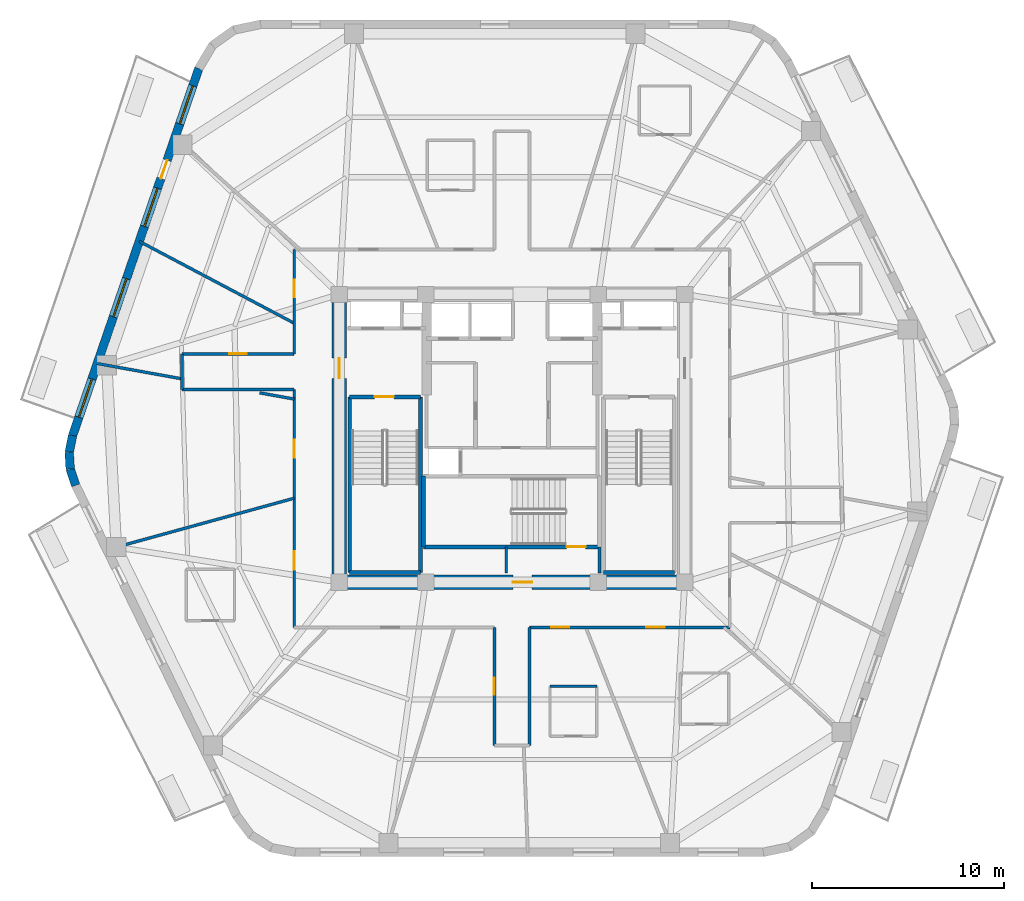
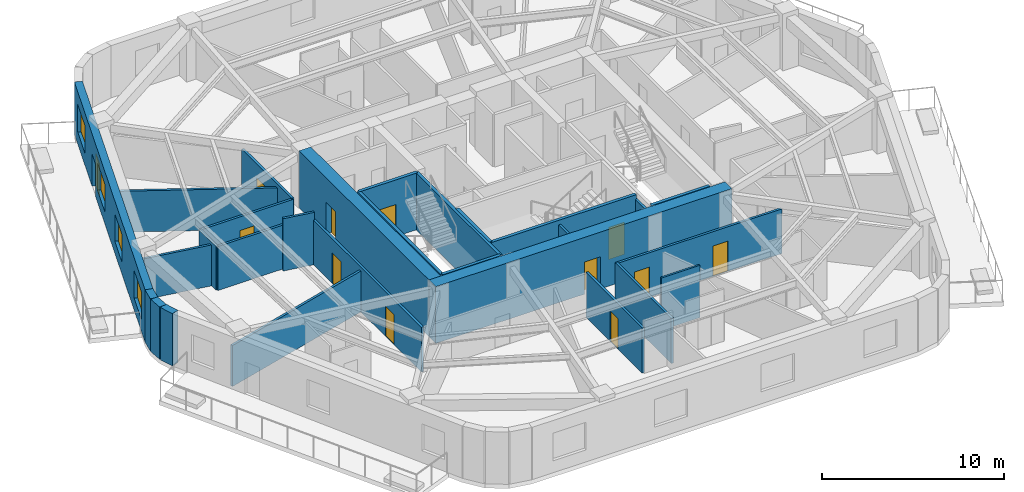
# One storey, part 3 of 9: 28 walls, 12 doors, 4 windows, 16 openings.
"""IFC4 building model written with IfcOpenShell, lengths in metres."""

from ifc_helpers import new_model, si_unit, direction, frame, frame_2d, origin, place, context, subcontext, project, spatial, rectangle, extrude, material, layer, layer_set, type_object, element, fill, save


model = new_model("IFC4")

# Units and contexts
model_context = context("Model", 3, precision=1e-05, world=origin(), true_north=direction((0.0, 1.0)))
body_context = subcontext(model_context, "Body", "Model", "MODEL_VIEW")
ifc_project = project(units=[si_unit("LENGTHUNIT", "METRE"), si_unit("AREAUNIT", "SQUARE_METRE"), si_unit("VOLUMEUNIT", "CUBIC_METRE"), si_unit("PLANEANGLEUNIT", "RADIAN"), si_unit("MASSUNIT", "GRAM", prefix="KILO")], contexts=[model_context])

# Site, building, storey
site_placement = place(None, origin())
site = spatial("IfcSite", under=ifc_project, at=site_placement, CompositionType="ELEMENT")
building_placement = place(site_placement, origin())
building = spatial("IfcBuilding", under=site, at=building_placement, Name="Kilnhurst Terrace Hotel", CompositionType="ELEMENT")
storey_placement = place(building_placement, frame((0.0, 0.0, 236.89990234375)))
storey = spatial("IfcBuildingStorey", under=building, at=storey_placement, Name="L59", CompositionType="ELEMENT", Elevation=236.89990234375)

# Walls
ifc_material_1 = material(Name="Precast concrete C40/50", Category="concrete")
ifc_layer_1 = layer(ifc_material_1, 0.449951171875, Name="Precast concrete C40/50")
ifc_layer_set_1 = layer_set([ifc_layer_1], Name="Precast concrete C40/50")
wall_type_1 = type_object("IfcWallType", Name="WL-BRK-450", PredefinedType="SOLIDWALL", material=ifc_layer_set_1)
wall_1_placement = place(storey_placement, frame((-22.8984375, 0.149658203125, 0.0), z_axis=(0.0, 0.0, 1.0), x_axis=(-0.199055826889, -0.979988151858, 0.0)))
element("IfcWall", 1, at=wall_1_placement, inside=storey, type_object=wall_type_1, Name="L59 Rounded Corner Brick Wall C6.1", PredefinedType="SOLIDWALL", context=body_context, shape_type="SweptSolid", body=[
    extrude(rectangle(XDim=0.89404296875, YDim=0.449951171875, at=frame_2d((0.447021484375, 0.0))), origin(), (0.0, 0.0, 1.0), 3.5),
])
wall_2_placement = place(storey_placement, frame((-23.076416015625, -0.7265625, 0.0), z_axis=(0.0, 0.0, 1.0), x_axis=(0.060805222108, -0.998149650586, 0.0)))
element("IfcWall", 2, at=wall_2_placement, inside=storey, type_object=wall_type_1, Name="L59 Rounded Corner Brick Wall C6.2", PredefinedType="SOLIDWALL", context=body_context, shape_type="SweptSolid", body=[
    extrude(rectangle(XDim=0.87939453125, YDim=0.449951171875, at=frame_2d((0.439697265625, 0.0))), origin(), (0.0, 0.0, 1.0), 3.5),
])
wall_3_placement = place(storey_placement, frame((-23.02294921875, -1.604248046875, 0.0), z_axis=(0.0, 0.0, 1.0), x_axis=(0.316801227695, -0.948491951537, 0.0)))
element("IfcWall", 3, at=wall_3_placement, inside=storey, type_object=wall_type_1, Name="L59 Rounded Corner Brick Wall C6.3", PredefinedType="SOLIDWALL", context=body_context, shape_type="SweptSolid", body=[
    extrude(rectangle(XDim=0.89404296875, YDim=0.449951171875, at=frame_2d((0.447021484375, 0.0))), origin(), (0.0, 0.0, 1.0), 3.5),
])

# Wall, openings, door, windows
wall_4_placement = place(storey_placement, frame((-16.323974609375, 19.275146484375, 0.0), z_axis=(0.0, 0.0, 1.0), x_axis=(-0.325083142304, -0.945685439557, 0.0)))
wall_4 = element("IfcWall", 4, at=wall_4_placement, inside=storey, type_object=wall_type_1, Name="L59 Exterior Brick Facade Wall F5", PredefinedType="SOLIDWALL", context=body_context, shape_type="SweptSolid", body=[
    extrude(rectangle(XDim=20.223876953125, YDim=0.449951171875, at=frame_2d((10.11181640625, 0.0))), origin(), (0.0, 0.0, 1.0), 3.5),
])
opening_1_placement = place(wall_4_placement, frame((5.06201171875, 0.0, 0.0)))
opening_1 = element("IfcOpeningElement", 5, at=opening_1_placement, cuts=wall_4, Name="Opening BD-1000", PredefinedType="OPENING", context=body_context, shape_type="SweptSolid", body=[
    extrude(rectangle(XDim=1.0, YDim=2.14990234375, at=frame_2d((0.5, 1.074951171875))), frame((0.0, 0.23486328125, 0.0), z_axis=(0.0, -1.0, 0.0), x_axis=(1.0, 0.0, 0.0)), (0.0, 0.0, 1.0), 0.469970703125),
])
opening_2_placement = place(wall_4_placement, frame((0.952880859375, 0.0, 0.800048828125)))
opening_2 = element("IfcOpeningElement", 6, at=opening_2_placement, cuts=wall_4, Name="Opening W-04", PredefinedType="OPENING", context=body_context, shape_type="SweptSolid", body=[
    extrude(rectangle(XDim=2.10009765625, YDim=1.85009765625, at=frame_2d((1.050048828125, 0.925048828125))), frame((0.0, 0.23486328125, 0.0), z_axis=(0.0, -1.0, 0.0), x_axis=(1.0, 0.0, 0.0)), (0.0, 0.0, 1.0), 0.469970703125),
])
opening_3_placement = place(wall_4_placement, frame((6.60400390625, 0.0, 0.800048828125)))
opening_3 = element("IfcOpeningElement", 7, at=opening_3_placement, cuts=wall_4, Name="Opening W-04", PredefinedType="OPENING", context=body_context, shape_type="SweptSolid", body=[
    extrude(rectangle(XDim=2.10009765625, YDim=1.85009765625, at=frame_2d((1.050048828125, 0.925048828125))), frame((0.0, 0.23486328125, 0.0), z_axis=(0.0, -1.0, 0.0), x_axis=(1.0, 0.0, 0.0)), (0.0, 0.0, 1.0), 0.469970703125),
])
opening_4_placement = place(wall_4_placement, frame((11.5849609375, 0.0, 0.800048828125)))
opening_4 = element("IfcOpeningElement", 8, at=opening_4_placement, cuts=wall_4, Name="Opening W-04", PredefinedType="OPENING", context=body_context, shape_type="SweptSolid", body=[
    extrude(rectangle(XDim=2.10009765625, YDim=1.85009765625, at=frame_2d((1.050048828125, 0.925048828125))), frame((0.0, 0.23486328125, 0.0), z_axis=(0.0, -1.0, 0.0), x_axis=(1.0, 0.0, 0.0)), (0.0, 0.0, 1.0), 0.469970703125),
])
opening_5_placement = place(wall_4_placement, frame((17.117919921875, 0.0, 0.800048828125)))
opening_5 = element("IfcOpeningElement", 9, at=opening_5_placement, cuts=wall_4, Name="Opening W-04", PredefinedType="OPENING", context=body_context, shape_type="SweptSolid", body=[
    extrude(rectangle(XDim=2.10009765625, YDim=1.85009765625, at=frame_2d((1.050048828125, 0.925048828125))), frame((0.0, 0.23486328125, 0.0), z_axis=(0.0, -1.0, 0.0), x_axis=(1.0, 0.0, 0.0)), (0.0, 0.0, 1.0), 0.469970703125),
])
ifc_material_2 = material(Name="Thermally Broken Bronze Aluminium Alloy 6063-T6 and Laminated Glass", Category="aluminium")
door_type_1 = type_object("IfcDoorType", Name="DR-EXT-BAL-1000", OperationType="NOTDEFINED", PredefinedType="DOOR", material=ifc_material_2)
door_1_placement = place(opening_1_placement, origin())
door_1 = element("IfcDoor", 10, at=door_1_placement, inside=storey, type_object=door_type_1, Name="L59 Planted Balcony Door BAL-L2A", OperationType="SINGLE_SWING_LEFT", OverallHeight=2.14990234375, OverallWidth=1.0, PredefinedType="DOOR", context=body_context, shape_type="SweptSolid", body=[
    extrude(rectangle(XDim=1.0, YDim=2.14990234375, at=frame_2d((0.5, 1.074951171875))), frame((0.0, 0.02490234375, 0.0), z_axis=(0.0, -1.0, 0.0), x_axis=(1.0, 0.0, 0.0)), (0.0, 0.0, 1.0), 0.050048828125),
])
fill(opening_1, door_1)
ifc_material_3 = material(Name="Thermally Broken Bronze Aluminium Alloy 6063-T6 and Low-E Glass", Category="aluminium")
window_type = type_object("IfcWindowType", Name="WIN-2100X1850", PartitioningType="SINGLE_PANEL", PredefinedType="WINDOW", material=ifc_material_3)
window_1_placement = place(opening_2_placement, origin())
window_1 = element("IfcWindow", 11, at=window_1_placement, inside=storey, type_object=window_type, Name="L59 Deep-Set Masonry Window F5.1", OverallHeight=1.85009765625, OverallWidth=2.10009765625, PartitioningType="SINGLE_PANEL", PredefinedType="WINDOW", context=body_context, shape_type="SweptSolid", body=[
    extrude(rectangle(XDim=2.10009765625, YDim=1.85009765625, at=frame_2d((1.050048828125, 0.925048828125))), frame((0.0, 0.030029296875, 0.0), z_axis=(0.0, -1.0, 0.0), x_axis=(1.0, 0.0, 0.0)), (0.0, 0.0, 1.0), 0.06005859375),
])
fill(opening_2, window_1)
window_2_placement = place(opening_3_placement, origin())
window_2 = element("IfcWindow", 12, at=window_2_placement, inside=storey, type_object=window_type, Name="L59 Deep-Set Masonry Window F5.2", OverallHeight=1.85009765625, OverallWidth=2.10009765625, PartitioningType="SINGLE_PANEL", PredefinedType="WINDOW", context=body_context, shape_type="SweptSolid", body=[
    extrude(rectangle(XDim=2.10009765625, YDim=1.85009765625, at=frame_2d((1.050048828125, 0.925048828125))), frame((0.0, 0.030029296875, 0.0), z_axis=(0.0, -1.0, 0.0), x_axis=(1.0, 0.0, 0.0)), (0.0, 0.0, 1.0), 0.06005859375),
])
fill(opening_3, window_2)
window_3_placement = place(opening_4_placement, origin())
window_3 = element("IfcWindow", 13, at=window_3_placement, inside=storey, type_object=window_type, Name="L59 Deep-Set Masonry Window F5.3", OverallHeight=1.85009765625, OverallWidth=2.10009765625, PartitioningType="SINGLE_PANEL", PredefinedType="WINDOW", context=body_context, shape_type="SweptSolid", body=[
    extrude(rectangle(XDim=2.10009765625, YDim=1.85009765625, at=frame_2d((1.050048828125, 0.925048828125))), frame((0.0, 0.030029296875, 0.0), z_axis=(0.0, -1.0, 0.0), x_axis=(1.0, 0.0, 0.0)), (0.0, 0.0, 1.0), 0.06005859375),
])
fill(opening_4, window_3)
window_4_placement = place(opening_5_placement, origin())
window_4 = element("IfcWindow", 14, at=window_4_placement, inside=storey, type_object=window_type, Name="L59 Deep-Set Masonry Window F5.4", OverallHeight=1.85009765625, OverallWidth=2.10009765625, PartitioningType="SINGLE_PANEL", PredefinedType="WINDOW", context=body_context, shape_type="SweptSolid", body=[
    extrude(rectangle(XDim=2.10009765625, YDim=1.85009765625, at=frame_2d((1.050048828125, 0.925048828125))), frame((0.0, 0.030029296875, 0.0), z_axis=(0.0, -1.0, 0.0), x_axis=(1.0, 0.0, 0.0)), (0.0, 0.0, 1.0), 0.06005859375),
])
fill(opening_5, window_4)

# Wall, openings, doors
ifc_material_4 = material(Name="Acoustic Double-Gypsum Corridor Partition Assembly")
ifc_layer_2 = layer(ifc_material_4, 0.14990234375, Name="Acoustic Double-Gypsum Corridor Partition Assembly")
ifc_layer_set_2 = layer_set([ifc_layer_2], Name="Acoustic Double-Gypsum Corridor Partition Assembly")
wall_type_2 = type_object("IfcWallType", Name="WL-COR-150", PredefinedType="PARTITIONING", material=ifc_layer_set_2)
wall_5_placement = place(storey_placement, frame((-11.35009765625, -9.85009765625, 0.0), z_axis=(0.0, 0.0, 1.0), x_axis=(0.0, 1.0, 0.0)))
wall_5 = element("IfcWall", 15, at=wall_5_placement, inside=storey, type_object=wall_type_2, Name="L59 Interior Wall WL-L59-COR-01", PredefinedType="PARTITIONING", context=body_context, shape_type="SweptSolid", body=[
    extrude(rectangle(XDim=12.400146484375, YDim=0.14990234375, at=frame_2d((6.2001953125, 0.0))), origin(), (0.0, 0.0, 1.0), 2.989990234375),
])
opening_6_placement = place(wall_5_placement, frame((8.8349609375, 0.0, 0.0)))
opening_6 = element("IfcOpeningElement", 16, at=opening_6_placement, cuts=wall_5, Name="Opening D-60B", PredefinedType="OPENING", context=body_context, shape_type="SweptSolid", body=[
    extrude(rectangle(XDim=0.949951171875, YDim=2.030029296875, at=frame_2d((0.47509765625, 1.01513671875))), frame((0.0, 0.0849609375, 0.0), z_axis=(0.0, -1.0, 0.0), x_axis=(1.0, 0.0, 0.0)), (0.0, 0.0, 1.0), 0.169921875),
])
opening_7_placement = place(wall_5_placement, frame((3.010009765625, 0.0, 0.0)))
opening_7 = element("IfcOpeningElement", 17, at=opening_7_placement, cuts=wall_5, Name="Opening D-60B", PredefinedType="OPENING", context=body_context, shape_type="SweptSolid", body=[
    extrude(rectangle(XDim=0.949951171875, YDim=2.030029296875, at=frame_2d((0.47509765625, 1.01513671875))), frame((0.0, 0.0849609375, 0.0), z_axis=(0.0, -1.0, 0.0), x_axis=(1.0, 0.0, 0.0)), (0.0, 0.0, 1.0), 0.169921875),
])
ifc_material_5 = material(Name="Acoustic Walnut Veneer Solid-Core Fire Door")
door_type_2 = type_object("IfcDoorType", Name="DR-FD60-950", OperationType="NOTDEFINED", PredefinedType="DOOR", material=ifc_material_5)
door_2_placement = place(opening_6_placement, origin())
door_2 = element("IfcDoor", 18, at=door_2_placement, inside=storey, type_object=door_type_2, Name="L59 Private Dining Room Door", OperationType="SINGLE_SWING_LEFT", OverallHeight=2.030029296875, OverallWidth=0.949951171875, PredefinedType="DOOR", context=body_context, shape_type="SweptSolid", body=[
    extrude(rectangle(XDim=0.949951171875, YDim=2.030029296875, at=frame_2d((0.47509765625, 1.01513671875))), frame((0.0, 0.02490234375, 0.0), z_axis=(0.0, -1.0, 0.0), x_axis=(1.0, 0.0, 0.0)), (0.0, 0.0, 1.0), 0.050048828125),
])
fill(opening_6, door_2)
door_3_placement = place(opening_7_placement, origin())
door_3 = element("IfcDoor", 19, at=door_3_placement, inside=storey, type_object=door_type_2, Name="L59 Executive Suite Entry Door 10", OperationType="SINGLE_SWING_RIGHT", OverallHeight=2.030029296875, OverallWidth=0.949951171875, PredefinedType="DOOR", context=body_context, shape_type="SweptSolid", body=[
    extrude(rectangle(XDim=0.949951171875, YDim=2.030029296875, at=frame_2d((0.47509765625, 1.01513671875))), frame((0.0, 0.02490234375, 0.0), z_axis=(0.0, -1.0, 0.0), x_axis=(1.0, 0.0, 0.0)), (0.0, 0.0, 1.0), 0.050048828125),
])
fill(opening_7, door_3)

# Walls
wall_6_placement = place(storey_placement, frame((-11.35009765625, 2.550048828125, 0.0), z_axis=(0.0, 0.0, 1.0), x_axis=(-1.0, 0.0, 0.0)))
element("IfcWall", 20, at=wall_6_placement, inside=storey, type_object=wall_type_2, Name="L59 Interior Wall WL-L59-COR-02", PredefinedType="PARTITIONING", context=body_context, shape_type="SweptSolid", body=[
    extrude(rectangle(XDim=5.849853515625, YDim=0.14990234375, at=frame_2d((2.9248046875, 0.0))), origin(), (0.0, 0.0, 1.0), 2.940673828125),
])
wall_7_placement = place(storey_placement, frame((-17.199951171875, 2.550048828125, 0.0), z_axis=(0.0, 0.0, 1.0), x_axis=(0.0, 1.0, 0.0)))
element("IfcWall", 21, at=wall_7_placement, inside=storey, type_object=wall_type_2, Name="L59 Interior Wall WL-L59-COR-03", PredefinedType="PARTITIONING", context=body_context, shape_type="SweptSolid", body=[
    extrude(rectangle(XDim=1.849853515625, YDim=0.14990234375, at=frame_2d((0.9248046875, 0.0))), origin(), (0.0, 0.0, 1.0), 2.940673828125),
])

# Wall, opening, door
wall_8_placement = place(storey_placement, frame((-17.199951171875, 4.39990234375, 0.0), z_axis=(0.0, 0.0, 1.0), x_axis=(1.0, 0.0, 0.0)))
wall_8 = element("IfcWall", 22, at=wall_8_placement, inside=storey, type_object=wall_type_2, Name="L59 Interior Wall WL-L59-COR-04", PredefinedType="PARTITIONING", context=body_context, shape_type="SweptSolid", body=[
    extrude(rectangle(XDim=5.849853515625, YDim=0.14990234375, at=frame_2d((2.9248046875, 0.0))), origin(), (0.0, 0.0, 1.0), 2.940673828125),
])
opening_8_placement = place(wall_8_placement, frame((2.47509765625, 0.0, 0.0)))
opening_8 = element("IfcOpeningElement", 23, at=opening_8_placement, cuts=wall_8, Name="Opening D-60C", PredefinedType="OPENING", context=body_context, shape_type="SweptSolid", body=[
    extrude(rectangle(XDim=0.89990234375, YDim=2.030029296875, at=frame_2d((0.449951171875, 1.01513671875))), frame((0.0, 0.0849609375, 0.0), z_axis=(0.0, -1.0, 0.0), x_axis=(1.0, 0.0, 0.0)), (0.0, 0.0, 1.0), 0.169921875),
])
ifc_material_6 = material(Name="Painted Solid-Core Service Fire Door")
door_type_3 = type_object("IfcDoorType", Name="DR-FD60-900", OperationType="NOTDEFINED", PredefinedType="DOOR", material=ifc_material_6)
door_4_placement = place(opening_8_placement, origin())
door_4 = element("IfcDoor", 24, at=door_4_placement, inside=storey, type_object=door_type_3, Name="L59 Private Meeting Salon Door 8", OperationType="SINGLE_SWING_RIGHT", OverallHeight=2.030029296875, OverallWidth=0.89990234375, PredefinedType="DOOR", context=body_context, shape_type="SweptSolid", body=[
    extrude(rectangle(XDim=0.89990234375, YDim=2.030029296875, at=frame_2d((0.449951171875, 1.01513671875))), frame((0.0, 0.02490234375, 0.0), z_axis=(0.0, -1.0, 0.0), x_axis=(1.0, 0.0, 0.0)), (0.0, 0.0, 1.0), 0.050048828125),
])
fill(opening_8, door_4)

wall_9_placement = place(storey_placement, frame((-11.35009765625, 4.39990234375, 0.0), z_axis=(0.0, 0.0, 1.0), x_axis=(0.0, 1.0, 0.0)))
wall_9 = element("IfcWall", 25, at=wall_9_placement, inside=storey, type_object=wall_type_2, Name="L59 Interior Wall WL-L59-COR-05", PredefinedType="PARTITIONING", context=body_context, shape_type="SweptSolid", body=[
    extrude(rectangle(XDim=5.4501953125, YDim=0.14990234375, at=frame_2d((2.72509765625, 0.0))), origin(), (0.0, 0.0, 1.0), 2.989990234375),
])
opening_9_placement = place(wall_9_placement, frame((2.955078125, 0.0, 0.0)))
opening_9 = element("IfcOpeningElement", 26, at=opening_9_placement, cuts=wall_9, Name="Opening D-60C", PredefinedType="OPENING", context=body_context, shape_type="SweptSolid", body=[
    extrude(rectangle(XDim=0.89990234375, YDim=2.030029296875, at=frame_2d((0.449951171875, 1.01513671875))), frame((0.0, 0.0849609375, 0.0), z_axis=(0.0, -1.0, 0.0), x_axis=(1.0, 0.0, 0.0)), (0.0, 0.0, 1.0), 0.169921875),
])
door_5_placement = place(opening_9_placement, origin())
door_5 = element("IfcDoor", 27, at=door_5_placement, inside=storey, type_object=door_type_3, Name="L59 Botanical Reading Lounge Door 7", OperationType="SINGLE_SWING_LEFT", OverallHeight=2.030029296875, OverallWidth=0.89990234375, PredefinedType="DOOR", context=body_context, shape_type="SweptSolid", body=[
    extrude(rectangle(XDim=0.89990234375, YDim=2.030029296875, at=frame_2d((0.449951171875, 1.01513671875))), frame((0.0, 0.02490234375, 0.0), z_axis=(0.0, -1.0, 0.0), x_axis=(1.0, 0.0, 0.0)), (0.0, 0.0, 1.0), 0.050048828125),
])
fill(opening_9, door_5)

# Wall, openings, doors
wall_10_placement = place(storey_placement, frame((11.35009765625, -9.85009765625, 0.0), z_axis=(0.0, 0.0, 1.0), x_axis=(-1.0, 0.0, 0.0)))
wall_10 = element("IfcWall", 28, at=wall_10_placement, inside=storey, type_object=wall_type_2, Name="L59 Interior Wall WL-L59-COR-16", PredefinedType="PARTITIONING", context=body_context, shape_type="SweptSolid", body=[
    extrude(rectangle(XDim=10.43017578125, YDim=0.14990234375, at=frame_2d((5.215087890625, 0.0))), origin(), (0.0, 0.0, 1.0), 2.989990234375),
])
opening_10_placement = place(wall_10_placement, frame((8.362060546875, 0.0, 0.0)))
opening_10 = element("IfcOpeningElement", 29, at=opening_10_placement, cuts=wall_10, Name="Opening D-60B", PredefinedType="OPENING", context=body_context, shape_type="SweptSolid", body=[
    extrude(rectangle(XDim=0.949951171875, YDim=2.030029296875, at=frame_2d((0.47509765625, 1.01513671875))), frame((0.0, 0.0849609375, 0.0), z_axis=(0.0, -1.0, 0.0), x_axis=(1.0, 0.0, 0.0)), (0.0, 0.0, 1.0), 0.169921875),
])
opening_11_placement = place(wall_10_placement, frame((3.39599609375, 0.0, 0.0)))
opening_11 = element("IfcOpeningElement", 30, at=opening_11_placement, cuts=wall_10, Name="Opening D-60B", PredefinedType="OPENING", context=body_context, shape_type="SweptSolid", body=[
    extrude(rectangle(XDim=0.949951171875, YDim=2.030029296875, at=frame_2d((0.47509765625, 1.01513671875))), frame((0.0, 0.0849609375, 0.0), z_axis=(0.0, -1.0, 0.0), x_axis=(1.0, 0.0, 0.0)), (0.0, 0.0, 1.0), 0.169921875),
])
door_6_placement = place(opening_10_placement, origin())
door_6 = element("IfcDoor", 31, at=door_6_placement, inside=storey, type_object=door_type_2, Name="L59 Guest Room Entry Door 13", OperationType="SINGLE_SWING_LEFT", OverallHeight=2.030029296875, OverallWidth=0.949951171875, PredefinedType="DOOR", context=body_context, shape_type="SweptSolid", body=[
    extrude(rectangle(XDim=0.949951171875, YDim=2.030029296875, at=frame_2d((0.47509765625, 1.01513671875))), frame((0.0, 0.02490234375, 0.0), z_axis=(0.0, -1.0, 0.0), x_axis=(1.0, 0.0, 0.0)), (0.0, 0.0, 1.0), 0.050048828125),
])
fill(opening_10, door_6)
door_7_placement = place(opening_11_placement, origin())
door_7 = element("IfcDoor", 32, at=door_7_placement, inside=storey, type_object=door_type_2, Name="L59 Executive Suite Entry Door 14", OperationType="SINGLE_SWING_RIGHT", OverallHeight=2.030029296875, OverallWidth=0.949951171875, PredefinedType="DOOR", context=body_context, shape_type="SweptSolid", body=[
    extrude(rectangle(XDim=0.949951171875, YDim=2.030029296875, at=frame_2d((0.47509765625, 1.01513671875))), frame((0.0, 0.02490234375, 0.0), z_axis=(0.0, -1.0, 0.0), x_axis=(1.0, 0.0, 0.0)), (0.0, 0.0, 1.0), 0.050048828125),
])
fill(opening_11, door_7)

# Wall
wall_11_placement = place(storey_placement, frame((0.919921875, -9.85009765625, 0.0), z_axis=(0.0, 0.0, 1.0), x_axis=(0.0, -1.0, 0.0)))
element("IfcWall", 33, at=wall_11_placement, inside=storey, type_object=wall_type_2, Name="L59 Interior Wall WL-L59-COR-17", PredefinedType="PARTITIONING", context=body_context, shape_type="SweptSolid", body=[
    extrude(rectangle(XDim=6.14990234375, YDim=0.14990234375, at=frame_2d((3.074951171875, 0.0))), origin(), (0.0, 0.0, 1.0), 3.026611328125),
])

# Wall, opening, door
wall_12_placement = place(storey_placement, frame((-0.919921875, -16.0, 0.0), z_axis=(0.0, 0.0, 1.0), x_axis=(0.0, 1.0, 0.0)))
wall_12 = element("IfcWall", 34, at=wall_12_placement, inside=storey, type_object=wall_type_2, Name="L59 Interior Wall WL-L59-COR-19", PredefinedType="PARTITIONING", context=body_context, shape_type="SweptSolid", body=[
    extrude(rectangle(XDim=6.14990234375, YDim=0.14990234375, at=frame_2d((3.074951171875, 0.0))), origin(), (0.0, 0.0, 1.0), 3.026611328125),
])
opening_12_placement = place(wall_12_placement, frame((2.625, 0.0, 0.0)))
opening_12 = element("IfcOpeningElement", 35, at=opening_12_placement, cuts=wall_12, Name="Opening D-60C", PredefinedType="OPENING", context=body_context, shape_type="SweptSolid", body=[
    extrude(rectangle(XDim=0.89990234375, YDim=2.030029296875, at=frame_2d((0.449951171875, 1.01513671875))), frame((0.0, 0.0849609375, 0.0), z_axis=(0.0, -1.0, 0.0), x_axis=(1.0, 0.0, 0.0)), (0.0, 0.0, 1.0), 0.169921875),
])
door_8_placement = place(opening_12_placement, origin())
door_8 = element("IfcDoor", 36, at=door_8_placement, inside=storey, type_object=door_type_3, Name="L59 Wellness Consultation Room Door 12", OperationType="SINGLE_SWING_RIGHT", OverallHeight=2.030029296875, OverallWidth=0.89990234375, PredefinedType="DOOR", context=body_context, shape_type="SweptSolid", body=[
    extrude(rectangle(XDim=0.89990234375, YDim=2.030029296875, at=frame_2d((0.449951171875, 1.01513671875))), frame((0.0, 0.02490234375, 0.0), z_axis=(0.0, -1.0, 0.0), x_axis=(1.0, 0.0, 0.0)), (0.0, 0.0, 1.0), 0.050048828125),
])
fill(opening_12, door_8)

ifc_material_7 = material(Name="Concrete C60/75", Category="concrete")
ifc_layer_3 = layer(ifc_material_7, 0.75, Name="Concrete C60/75")
ifc_layer_set_3 = layer_set([ifc_layer_3], Name="Concrete C60/75")
wall_type_3 = type_object("IfcWallType", Name="WL-CORE-750", PredefinedType="SHEAR", material=ifc_layer_set_3)
wall_13_placement = place(storey_placement, frame((-9.375, -7.5, 0.0), z_axis=(0.0, 0.0, 1.0), x_axis=(1.0, 0.0, 0.0)))
wall_13 = element("IfcWall", 37, at=wall_13_placement, inside=storey, type_object=wall_type_3, Name="L59 Core South Shear Wall", PredefinedType="SHEAR", context=body_context, shape_type="SweptSolid", body=[
    extrude(rectangle(XDim=18.75, YDim=0.75, at=frame_2d((9.375, 0.0))), origin(), (0.0, 0.0, 1.0), 3.800048828125),
])
opening_13_placement = place(wall_13_placement, frame((9.425048828125, 0.0, 0.0)))
opening_13 = element("IfcOpeningElement", 38, at=opening_13_placement, cuts=wall_13, Name="Opening D-90B", PredefinedType="OPENING", context=body_context, shape_type="SweptSolid", body=[
    extrude(rectangle(XDim=1.0, YDim=2.14990234375, at=frame_2d((0.5, 1.074951171875))), frame((0.0, 0.385009765625, 0.0), z_axis=(0.0, -1.0, 0.0), x_axis=(1.0, 0.0, 0.0)), (0.0, 0.0, 1.0), 0.77001953125),
])
ifc_material_8 = material(Name="Painted Hollow Metal Steel ASTM A36 Fire Door", Category="steel")
door_type_4 = type_object("IfcDoorType", Name="DR-FD90-1000", OperationType="NOTDEFINED", PredefinedType="DOOR", material=ifc_material_8)
door_9_placement = place(opening_13_placement, origin())
door_9 = element("IfcDoor", 39, at=door_9_placement, inside=storey, type_object=door_type_4, Name="L59 Stair ST-3 Corridor Door", OperationType="SINGLE_SWING_RIGHT", OverallHeight=2.14990234375, OverallWidth=1.0, PredefinedType="DOOR", context=body_context, shape_type="SweptSolid", body=[
    extrude(rectangle(XDim=1.0, YDim=2.14990234375, at=frame_2d((0.5, 1.074951171875))), frame((0.0, 0.02490234375, 0.0), z_axis=(0.0, -1.0, 0.0), x_axis=(1.0, 0.0, 0.0)), (0.0, 0.0, 1.0), 0.050048828125),
])
fill(opening_13, door_9)

wall_14_placement = place(storey_placement, frame((-9.0, -7.125, 0.0), z_axis=(0.0, 0.0, 1.0), x_axis=(0.0, 1.0, 0.0)))
wall_14 = element("IfcWall", 40, at=wall_14_placement, inside=storey, type_object=wall_type_3, Name="L59 Core West Shear Wall", PredefinedType="SHEAR", context=body_context, shape_type="SweptSolid", body=[
    extrude(rectangle(XDim=14.25, YDim=0.75, at=frame_2d((7.125, 0.0))), origin(), (0.0, 0.0, 1.0), 3.800048828125),
])
opening_14_placement = place(wall_14_placement, frame((10.25, 0.0, 0.0)))
opening_14 = element("IfcOpeningElement", 41, at=opening_14_placement, cuts=wall_14, Name="Opening D-90A", PredefinedType="OPENING", context=body_context, shape_type="SweptSolid", body=[
    extrude(rectangle(XDim=1.050048828125, YDim=2.14990234375, at=frame_2d((0.52490234375, 1.074951171875))), frame((0.0, 0.385009765625, 0.0), z_axis=(0.0, -1.0, 0.0), x_axis=(1.0, 0.0, 0.0)), (0.0, 0.0, 1.0), 0.77001953125),
])
door_type_5 = type_object("IfcDoorType", Name="DR-FD90-1050", OperationType="NOTDEFINED", PredefinedType="DOOR", material=ifc_material_8)
door_10_placement = place(opening_14_placement, origin())
door_10 = element("IfcDoor", 42, at=door_10_placement, inside=storey, type_object=door_type_5, Name="L59 West Firefighting Lobby Door", OperationType="SINGLE_SWING_RIGHT", OverallHeight=2.14990234375, OverallWidth=1.050048828125, PredefinedType="DOOR", context=body_context, shape_type="SweptSolid", body=[
    extrude(rectangle(XDim=1.050048828125, YDim=2.14990234375, at=frame_2d((0.52490234375, 1.074951171875))), frame((0.0, 0.02490234375, 0.0), z_axis=(0.0, -1.0, 0.0), x_axis=(1.0, 0.0, 0.0)), (0.0, 0.0, 1.0), 0.050048828125),
])
fill(opening_14, door_10)

# Walls
ifc_material_9 = material(Name="STC-58 Acoustic Twin-Frame Guestroom Demising Partition")
ifc_layer_4 = layer(ifc_material_9, 0.14990234375, Name="STC-58 Acoustic Twin-Frame Guestroom Demising Partition")
ifc_layer_set_4 = layer_set([ifc_layer_4], Name="STC-58 Acoustic Twin-Frame Guestroom Demising Partition")
wall_type_4 = type_object("IfcWallType", Name="WL-DEM-150", PredefinedType="PARTITIONING", material=ifc_layer_set_4)
wall_15_placement = place(storey_placement, frame((-11.35009765625, 5.9990234375, 0.0), z_axis=(0.0, 0.0, 1.0), x_axis=(-0.884112301724, 0.467274478161, 0.0)))
element("IfcWall", 43, at=wall_15_placement, inside=storey, type_object=wall_type_4, Name="L59 Interior Wall WL-L59-DEM-MID05-08-1", PredefinedType="PARTITIONING", context=body_context, shape_type="SweptSolid", body=[
    extrude(rectangle(XDim=9.129150390625, YDim=0.14990234375, at=frame_2d((4.564453125, 0.0))), origin(), (0.0, 0.0, 1.0), 2.739990234375),
])
wall_16_placement = place(storey_placement, frame((-11.35009765625, 2.046142578125, 0.0), z_axis=(0.0, 0.0, 1.0), x_axis=(-0.984127783205, 0.177461281195, 0.0)))
element("IfcWall", 44, at=wall_16_placement, inside=storey, type_object=wall_type_4, Name="L59 Interior Wall WL-L59-DEM-COL06-09-1", PredefinedType="PARTITIONING", context=body_context, shape_type="SweptSolid", body=[
    extrude(rectangle(XDim=1.82568359375, YDim=0.14990234375, at=frame_2d((0.912841796875, 0.0))), origin(), (0.0, 0.0, 1.0), 3.5),
])
wall_17_placement = place(storey_placement, frame((-17.199951171875, 3.1005859375, 0.0), z_axis=(0.0, 0.0, 1.0), x_axis=(-0.98413465883, 0.177423147559, 0.0)))
element("IfcWall", 45, at=wall_17_placement, inside=storey, type_object=wall_type_4, Name="L59 Interior Wall WL-L59-DEM-COL06-09-2", PredefinedType="PARTITIONING", context=body_context, shape_type="SweptSolid", body=[
    extrude(rectangle(XDim=4.481689453125, YDim=0.14990234375, at=frame_2d((2.24072265625, 0.0))), origin(), (0.0, 0.0, 1.0), 2.739990234375),
])
wall_18_placement = place(storey_placement, frame((-11.35009765625, -3.12060546875, 0.0), z_axis=(0.0, 0.0, 1.0), x_axis=(-0.964212793822, -0.265129568758, 0.0)))
element("IfcWall", 46, at=wall_18_placement, inside=storey, type_object=wall_type_4, Name="L59 Interior Wall WL-L59-DEM-COL07-10-1", PredefinedType="PARTITIONING", context=body_context, shape_type="SweptSolid", body=[
    extrude(rectangle(XDim=10.119873046875, YDim=0.14990234375, at=frame_2d((5.06005859375, 0.0))), origin(), (0.0, 0.0, 1.0), 2.739990234375),
])
ifc_material_10 = material(Name="120 mm Moisture-Resistant Tile-Backed Bathroom Partition")
ifc_layer_5 = layer(ifc_material_10, 0.1201171875, Name="120 mm Moisture-Resistant Tile-Backed Bathroom Partition")
ifc_layer_set_5 = layer_set([ifc_layer_5], Name="120 mm Moisture-Resistant Tile-Backed Bathroom Partition")
wall_type_5 = type_object("IfcWallType", Name="WL-PART-120", PredefinedType="PARTITIONING", material=ifc_layer_set_5)
wall_19_placement = place(storey_placement, frame((4.41796875, -12.919921875, 0.0), z_axis=(0.0, 0.0, 1.0), x_axis=(-1.0, 0.0, 0.0)))
element("IfcWall", 47, at=wall_19_placement, inside=storey, type_object=wall_type_5, Name="L59 Interior Wall WL-L59-BTH-13-3", PredefinedType="PARTITIONING", context=body_context, shape_type="SweptSolid", body=[
    extrude(rectangle(XDim=2.43994140625, YDim=0.1201171875, at=frame_2d((1.219970703125, 0.0))), origin(), (0.0, 0.0, 1.0), 3.5),
])
ifc_material_11 = material(Name="Fire-Rated Gypsum Shaftliner Assembly")
ifc_layer_6 = layer(ifc_material_11, 0.14990234375, Name="Fire-Rated Gypsum Shaftliner Assembly")
ifc_layer_set_6 = layer_set([ifc_layer_6], Name="Fire-Rated Gypsum Shaftliner Assembly")
wall_type_6 = type_object("IfcWallType", Name="WL-SHAFT-150", PredefinedType="PARTITIONING", material=ifc_layer_set_6)
for number, where, z_axis, x_axis, name in (
    (48, (-0.300048828125, -7.02001953125, 0.0), (0.0, 0.0, 1.0), (0.0, 1.0, 0.0), "L59 Interior Wall WL-L59-ST3-PSGW"),
    (49, (4.55810546875, -7.02001953125, 0.0), (0.0, 0.0, 1.0), (0.0, 1.0, 0.0), "L59 Interior Wall WL-L59-ST3-PSGE"),
):
    element("IfcWall", number, at=place(storey_placement, frame(where, z_axis=z_axis, x_axis=x_axis)), inside=storey, type_object=wall_type_6, Name=name, PredefinedType="PARTITIONING", context=body_context, shape_type="SweptSolid", body=[
        extrude(rectangle(XDim=1.362060546875, YDim=0.14990234375, at=frame_2d((0.68115234375, 0.0))), origin(), (0.0, 0.0, 1.0), 3.5),
    ])
ifc_material_12 = material(Name="Concrete C50/60", Category="concrete")
ifc_layer_7 = layer(ifc_material_12, 0.199951171875, Name="Concrete C50/60")
ifc_layer_set_7 = layer_set([ifc_layer_7], Name="Concrete C50/60")
wall_type_7 = type_object("IfcWallType", Name="WL-STAIR-RC-200", PredefinedType="SHEAR", material=ifc_layer_set_7)
for number, where, z_axis, x_axis, name in (
    (50, (-8.4580078125, -6.985107421875, 0.0), (0.0, 0.0, 1.0), (0.0, 1.0, 0.0), "L59 Structural Stair Shaft Wall WL-L59-ST1-W"),
    (51, (-4.77197265625, -6.985107421875, 0.0), (0.0, 0.0, 1.0), (0.0, 1.0, 0.0), "L59 Structural Stair Shaft Wall WL-L59-ST1-E"),
):
    element("IfcWall", number, at=place(storey_placement, frame(where, z_axis=z_axis, x_axis=x_axis)), inside=storey, type_object=wall_type_7, Name=name, PredefinedType="SHEAR", context=body_context, shape_type="SweptSolid", body=[
        extrude(rectangle(XDim=9.14306640625, YDim=0.199951171875, at=frame_2d((4.571533203125, 0.0))), origin(), (0.0, 0.0, 1.0), 3.800048828125),
    ])
wall_20_placement = place(storey_placement, frame((-8.4580078125, -6.985107421875, 0.0), z_axis=(0.0, 0.0, 1.0), x_axis=(1.0, 0.0, 0.0)))
element("IfcWall", 52, at=wall_20_placement, inside=storey, type_object=wall_type_7, Name="L59 Structural Stair Shaft Wall WL-L59-ST1-S", PredefinedType="SHEAR", context=body_context, shape_type="SweptSolid", body=[
    extrude(rectangle(XDim=3.68603515625, YDim=0.199951171875, at=frame_2d((1.843017578125, 0.0))), origin(), (0.0, 0.0, 1.0), 3.800048828125),
])

# Wall, opening, door
wall_21_placement = place(storey_placement, frame((-8.4580078125, 2.157958984375, 0.0), z_axis=(0.0, 0.0, 1.0), x_axis=(1.0, 0.0, 0.0)))
wall_21 = element("IfcWall", 53, at=wall_21_placement, inside=storey, type_object=wall_type_7, Name="L59 Structural Stair Shaft Wall WL-L59-ST1-N", PredefinedType="SHEAR", context=body_context, shape_type="SweptSolid", body=[
    extrude(rectangle(XDim=3.68603515625, YDim=0.199951171875, at=frame_2d((1.843017578125, 0.0))), origin(), (0.0, 0.0, 1.0), 3.800048828125),
])
opening_15_placement = place(wall_21_placement, frame((1.300048828125, 0.0, 0.0)))
opening_15 = element("IfcOpeningElement", 54, at=opening_15_placement, cuts=wall_21, Name="Opening D-90B", PredefinedType="OPENING", context=body_context, shape_type="SweptSolid", body=[
    extrude(rectangle(XDim=1.0, YDim=2.14990234375, at=frame_2d((0.5, 1.074951171875))), frame((0.0, 0.10986328125, 0.0), z_axis=(0.0, -1.0, 0.0), x_axis=(1.0, 0.0, 0.0)), (0.0, 0.0, 1.0), 0.219970703125),
])
door_11_placement = place(opening_15_placement, origin())
door_11 = element("IfcDoor", 55, at=door_11_placement, inside=storey, type_object=door_type_4, Name="L59 Stair ST-1 Door", OperationType="SINGLE_SWING_LEFT", OverallHeight=2.14990234375, OverallWidth=1.0, PredefinedType="DOOR", context=body_context, shape_type="SweptSolid", body=[
    extrude(rectangle(XDim=1.0, YDim=2.14990234375, at=frame_2d((0.5, 1.074951171875))), frame((0.0, 0.02490234375, 0.0), z_axis=(0.0, -1.0, 0.0), x_axis=(1.0, 0.0, 0.0)), (0.0, 0.0, 1.0), 0.050048828125),
])
fill(opening_15, door_11)

# Walls
for number, where, z_axis, x_axis, name in (
    (56, (4.77197265625, -6.985107421875, 0.0), (0.0, 0.0, 1.0), (1.0, 0.0, 0.0), "L59 Structural Stair Shaft Wall WL-L59-ST2-S"),
    (57, (-4.60791015625, -5.657958984375, 0.0), (0.0, 0.0, 1.0), (0.0, 1.0, 0.0), "L59 Structural Stair Shaft Wall WL-L59-ST3-W"),
):
    element("IfcWall", number, at=place(storey_placement, frame(where, z_axis=z_axis, x_axis=x_axis)), inside=storey, type_object=wall_type_7, Name=name, PredefinedType="SHEAR", context=body_context, shape_type="SweptSolid", body=[
        extrude(rectangle(XDim=3.68603515625, YDim=0.199951171875, at=frame_2d((1.843017578125, 0.0))), origin(), (0.0, 0.0, 1.0), 3.800048828125),
    ])

# Wall, opening, door
wall_22_placement = place(storey_placement, frame((-4.60791015625, -5.657958984375, 0.0), z_axis=(0.0, 0.0, 1.0), x_axis=(1.0, 0.0, 0.0)))
wall_22 = element("IfcWall", 58, at=wall_22_placement, inside=storey, type_object=wall_type_7, Name="L59 Structural Stair Shaft Wall WL-L59-ST3-S", PredefinedType="SHEAR", context=body_context, shape_type="SweptSolid", body=[
    extrude(rectangle(XDim=9.166015625, YDim=0.199951171875, at=frame_2d((4.5830078125, 0.0))), origin(), (0.0, 0.0, 1.0), 3.800048828125),
])
opening_16_placement = place(wall_22_placement, frame((7.449951171875, 0.0, 0.0)))
opening_16 = element("IfcOpeningElement", 59, at=opening_16_placement, cuts=wall_22, Name="Opening D-90B", PredefinedType="OPENING", context=body_context, shape_type="SweptSolid", body=[
    extrude(rectangle(XDim=1.0, YDim=2.14990234375, at=frame_2d((0.5, 1.074951171875))), frame((0.0, 0.10986328125, 0.0), z_axis=(0.0, -1.0, 0.0), x_axis=(1.0, 0.0, 0.0)), (0.0, 0.0, 1.0), 0.219970703125),
])
door_12_placement = place(opening_16_placement, origin())
door_12 = element("IfcDoor", 60, at=door_12_placement, inside=storey, type_object=door_type_4, Name="L59 Stair ST-3 Shaft Door", OperationType="SINGLE_SWING_LEFT", OverallHeight=2.14990234375, OverallWidth=1.0, PredefinedType="DOOR", context=body_context, shape_type="SweptSolid", body=[
    extrude(rectangle(XDim=1.0, YDim=2.14990234375, at=frame_2d((0.5, 1.074951171875))), frame((0.0, 0.02490234375, 0.0), z_axis=(0.0, -1.0, 0.0), x_axis=(1.0, 0.0, 0.0)), (0.0, 0.0, 1.0), 0.050048828125),
])
fill(opening_16, door_12)

save(model, "model.ifc")
